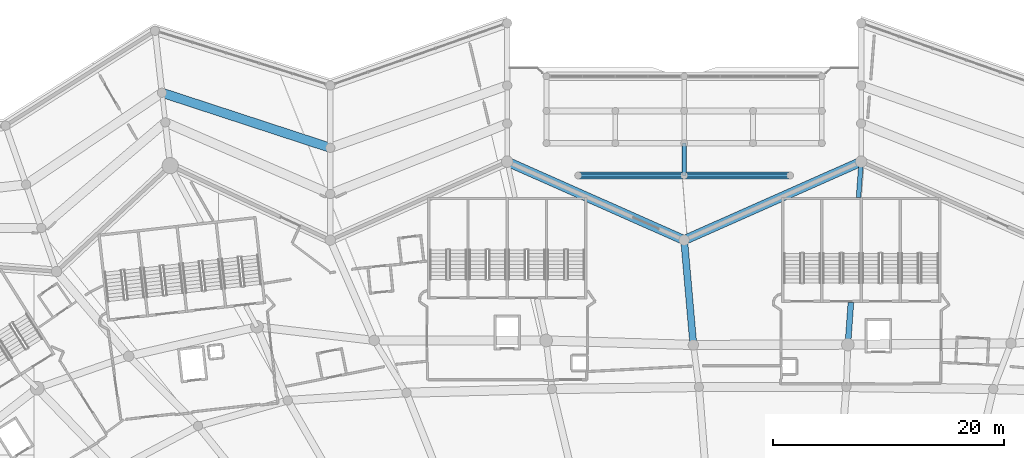
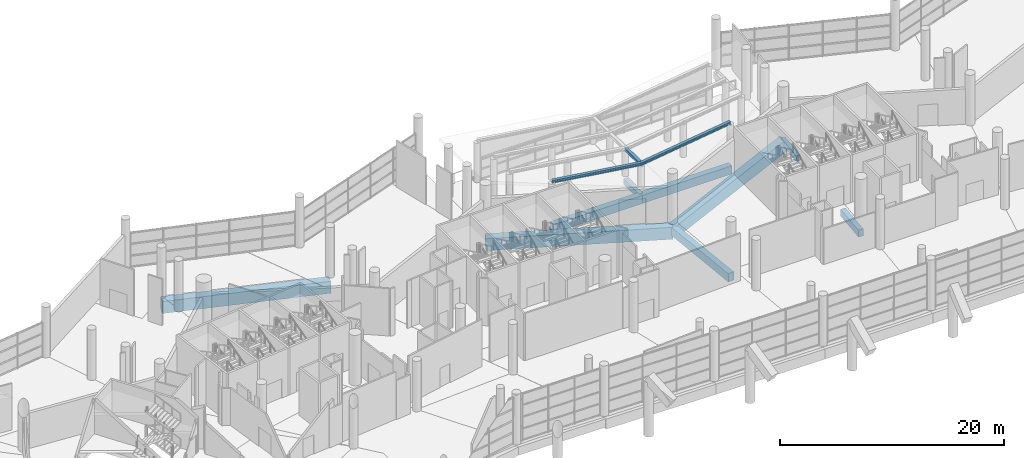
# One storey, part 87 of 271: 12 beams.
"""IFC4 building model written with IfcOpenShell, lengths in metres."""

from ifc_helpers import new_model, si_unit, direction, frame, origin, origin_2d, place, context, subcontext, project, spatial, rectangle, i_section, extrude, material, material_profile, profile_set, type_object, element, save


model = new_model("IFC4")

# Units and contexts
model_context = context("Model", 3, precision=1e-05, world=origin(), true_north=direction((0.0, 1.0)))
body_context = subcontext(model_context, "Body", "Model", "MODEL_VIEW")
ifc_project = project(units=[si_unit("LENGTHUNIT", "METRE"), si_unit("AREAUNIT", "SQUARE_METRE"), si_unit("VOLUMEUNIT", "CUBIC_METRE"), si_unit("PLANEANGLEUNIT", "RADIAN"), si_unit("MASSUNIT", "GRAM", prefix="KILO")], contexts=[model_context])

# Site, building, storey
site_placement = place(None, origin())
site = spatial("IfcSite", under=ifc_project, at=site_placement, CompositionType="ELEMENT")
building_placement = place(site_placement, origin())
building = spatial("IfcBuilding", under=site, at=building_placement, Name="Meseta Stadium", CompositionType="ELEMENT")
storey_placement = place(building_placement, frame((0.0, 0.0, 6.5)))
storey = spatial("IfcBuildingStorey", under=building, at=storey_placement, Name="L01", CompositionType="ELEMENT", Elevation=6.5)

# Beams
ifc_material_1 = material(Name="Steel S355", Category="steel")
ifc_material_profile_1 = material_profile(ifc_material_1, i_section(OverallWidth=0.300048828125, OverallDepth=0.300048828125, WebThickness=0.010986328125, FlangeThickness=0.01904296875, FilletRadius=0.027099609375, at=origin_2d()), Name="HEB 300")
ifc_profile_set_1 = profile_set([ifc_material_profile_1], Name="Steel S355")
beam_type_1 = type_object("IfcBeamType", Name="Gate roof beam HEB 300", PredefinedType="BEAM", material=ifc_profile_set_1)
beam_1_placement = place(storey_placement, frame((-7.666748046875, 104.199951171875, 2.931396484375), z_axis=(0.0, 0.999798977995, -0.02005002746), x_axis=(-1.0, 0.0, 0.0)))
element("IfcBeam", 1, at=beam_1_placement, inside=storey, type_object=beam_type_1, Name="Gate 3 valley beam", PredefinedType="BEAM", context=body_context, shape_type="SweptSolid", body=[
    extrude(i_section(OverallWidth=0.300048828125, OverallDepth=0.300048828125, WebThickness=0.010986328125, FlangeThickness=0.01904296875, FilletRadius=0.027099609375, at=origin_2d()), origin(), (0.0, 0.0, 1.0), 2.800537109375),
])
ifc_material_2 = material(Name="Steel S355", Category="steel")
ifc_material_profile_2 = material_profile(ifc_material_2, i_section(OverallWidth=0.300048828125, OverallDepth=0.300048828125, WebThickness=0.010986328125, FlangeThickness=0.01904296875, FilletRadius=0.027099609375, at=origin_2d()), Name="HEB 300")
ifc_profile_set_2 = profile_set([ifc_material_profile_2], Name="Steel S355")
beam_type_2 = type_object("IfcBeamType", Name="Gate roof beam HEB 300 rafter", PredefinedType="BEAM", material=ifc_profile_set_2)
beam_2_placement = place(storey_placement, frame((1.516845703125, 104.199951171875, 4.217041015625), z_axis=(-0.99034261426, 0.0, -0.138641647349), x_axis=(0.0, -1.0, 0.0)))
element("IfcBeam", 2, at=beam_2_placement, inside=storey, type_object=beam_type_2, Name="Gate 3 roof rafter", PredefinedType="BEAM", context=body_context, shape_type="SweptSolid", body=[
    extrude(i_section(OverallWidth=0.300048828125, OverallDepth=0.300048828125, WebThickness=0.010986328125, FlangeThickness=0.01904296875, FilletRadius=0.027099609375, at=origin_2d()), origin(), (0.0, 0.0, 1.0), 9.273193359375),
])
beam_3_placement = place(storey_placement, frame((-7.666748046875, 104.199951171875, 2.931396484375), z_axis=(-0.990342108183, 0.0, 0.138645262307), x_axis=(0.0, -1.0, 0.0)))
element("IfcBeam", 3, at=beam_3_placement, inside=storey, type_object=beam_type_2, Name="Gate 3 roof rafter", PredefinedType="BEAM", context=body_context, shape_type="SweptSolid", body=[
    extrude(i_section(OverallWidth=0.300048828125, OverallDepth=0.300048828125, WebThickness=0.010986328125, FlangeThickness=0.01904296875, FilletRadius=0.027099609375, at=origin_2d()), origin(), (0.0, 0.0, 1.0), 9.27294921875),
])
ifc_material_3 = material(Name="Concrete C40/50", Category="concrete")
ifc_material_profile_3 = material_profile(ifc_material_3, rectangle(XDim=0.39990234375, YDim=0.60009765625, at=origin_2d()), Name="RC 400x600")
ifc_profile_set_3 = profile_set([ifc_material_profile_3], Name="Concrete C40/50")
beam_type_3 = type_object("IfcBeamType", Name="RC beam 400x600", PredefinedType="BEAM", material=ifc_profile_set_3)
beam_4_placement = place(storey_placement, frame((7.44189453125, 102.300048828125, -0.64990234375), z_axis=(0.072346739974, 0.997379541205, 0.0), x_axis=(-0.997379541205, 0.072346739974, 0.0)))
element("IfcBeam", 4, at=beam_4_placement, inside=storey, type_object=beam_type_3, Name="L01 radial beam frame 18 line P to R", PredefinedType="BEAM", context=body_context, shape_type="SweptSolid", body=[
    extrude(rectangle(XDim=0.39990234375, YDim=0.60009765625, at=origin_2d()), origin(), (0.0, 0.0, 1.0), 3.10791015625),
])
beam_5_placement = place(storey_placement, frame((-7.666748046875, 104.199951171875, -0.64990234375), z_axis=(0.0, 1.0, 0.0), x_axis=(-1.0, 0.0, 0.0)))
element("IfcBeam", 5, at=beam_5_placement, inside=storey, type_object=beam_type_3, Name="Gate 3 floor beam", PredefinedType="BEAM", context=body_context, shape_type="SweptSolid", body=[
    extrude(rectangle(XDim=0.39990234375, YDim=0.60009765625, at=origin_2d()), origin(), (0.0, 0.0, 1.0), 2.800048828125),
])
ifc_material_4 = material(Name="Concrete C40/50", Category="concrete")
ifc_material_profile_4 = material_profile(ifc_material_4, rectangle(XDim=0.5, YDim=0.75, at=origin_2d()), Name="RC 500x750")
ifc_profile_set_4 = profile_set([ifc_material_profile_4], Name="Concrete C40/50")
beam_type_4 = type_object("IfcBeamType", Name="RC beam 500x750", PredefinedType="BEAM", material=ifc_profile_set_4)
beam_6_placement = place(storey_placement, frame((6.51708984375, 89.54638671875, -0.72509765625), z_axis=(0.072312695021, 0.997382010134, 0.0), x_axis=(-0.997382010134, 0.072312695021, 0.0)))
element("IfcBeam", 6, at=beam_6_placement, inside=storey, type_object=beam_type_4, Name="L01 radial beam frame 18 line P to R", PredefinedType="BEAM", context=body_context, shape_type="SweptSolid", body=[
    extrude(rectangle(XDim=0.5, YDim=0.75, at=origin_2d()), origin(), (0.0, 0.0, 1.0), 3.6630859375),
])
ifc_material_5 = material(Name="Concrete C40/50", Category="concrete")
ifc_material_profile_5 = material_profile(ifc_material_5, rectangle(XDim=0.60009765625, YDim=0.89990234375, at=origin_2d()), Name="RC 600x900")
ifc_profile_set_5 = profile_set([ifc_material_profile_5], Name="Concrete C40/50")
beam_type_5 = type_object("IfcBeamType", Name="RC beam 600x900", PredefinedType="BEAM", material=ifc_profile_set_5)
beam_7_placement = place(storey_placement, frame((-6.87060546875, 89.517822265625, -0.800048828125), z_axis=(-0.087324072983, 0.996179956774, 0.0), x_axis=(-0.996179956774, -0.087324072983, 0.0)))
element("IfcBeam", 7, at=beam_7_placement, inside=storey, type_object=beam_type_5, Name="L01 radial beam frame 19 line P to R", PredefinedType="BEAM", context=body_context, shape_type="SweptSolid", body=[
    extrude(rectangle(XDim=0.60009765625, YDim=0.89990234375, at=origin_2d()), origin(), (0.0, 0.0, 1.0), 9.1171875),
])
beam_8_placement = place(storey_placement, frame((1.516845703125, 104.199951171875, -0.800048828125), z_axis=(-1.0, 0.0, 0.0), x_axis=(0.0, -1.0, 0.0)))
element("IfcBeam", 8, at=beam_8_placement, inside=storey, type_object=beam_type_5, Name="Gate 3 floor beam", PredefinedType="BEAM", context=body_context, shape_type="SweptSolid", body=[
    extrude(rectangle(XDim=0.60009765625, YDim=0.89990234375, at=origin_2d()), origin(), (0.0, 0.0, 1.0), 9.18359375),
])
beam_9_placement = place(storey_placement, frame((-7.666748046875, 104.199951171875, -0.800048828125), z_axis=(-1.0, 0.0, 0.0), x_axis=(0.0, -1.0, 0.0)))
element("IfcBeam", 9, at=beam_9_placement, inside=storey, type_object=beam_type_5, Name="Gate 3 floor beam", PredefinedType="BEAM", context=body_context, shape_type="SweptSolid", body=[
    extrude(rectangle(XDim=0.60009765625, YDim=0.89990234375, at=origin_2d()), origin(), (0.0, 0.0, 1.0), 9.183349609375),
])
ifc_material_6 = material(Name="Concrete C40/50", Category="concrete")
ifc_material_profile_6 = material_profile(ifc_material_6, rectangle(XDim=0.800048828125, YDim=1.300048828125, at=origin_2d()), Name="RC 800x1300")
ifc_profile_set_6 = profile_set([ifc_material_profile_6], Name="Concrete C40/50")
beam_type_6 = type_object("IfcBeamType", Name="RC beam 800x1300", PredefinedType="BEAM", material=ifc_profile_set_6)
beam_10_placement = place(storey_placement, frame((7.666748046875, 105.39990234375, -1.0), z_axis=(-0.914144956099, -0.405387468033, 0.0), x_axis=(0.405387468033, -0.914144956099, 0.0)))
element("IfcBeam", 10, at=beam_10_placement, inside=storey, type_object=beam_type_6, Name="L01 ring beam frame 18 line R", PredefinedType="BEAM", context=body_context, shape_type="SweptSolid", body=[
    extrude(rectangle(XDim=0.800048828125, YDim=1.300048828125, at=origin_2d()), origin(), (0.0, 0.0, 1.0), 16.773681640625),
])
beam_11_placement = place(storey_placement, frame((-7.666748046875, 98.60009765625, -1.0), z_axis=(-0.914142564088, 0.405392861953, 0.0), x_axis=(-0.405392861953, -0.914142564088, 0.0)))
element("IfcBeam", 11, at=beam_11_placement, inside=storey, type_object=beam_type_6, Name="L01 ring beam frame 19 line R", PredefinedType="BEAM", context=body_context, shape_type="SweptSolid", body=[
    extrude(rectangle(XDim=0.800048828125, YDim=1.300048828125, at=origin_2d()), origin(), (0.0, 0.0, 1.0), 16.7734375),
])
beam_12_placement = place(storey_placement, frame((-38.333251953125, 106.60009765625, -1.0), z_axis=(-0.950397214569, 0.311038799089, 0.0), x_axis=(-0.311038799089, -0.950397214569, 0.0)))
element("IfcBeam", 12, at=beam_12_placement, inside=storey, type_object=beam_type_6, Name="L01 ring beam frame 21 line Q", PredefinedType="BEAM", context=body_context, shape_type="SweptSolid", body=[
    extrude(rectangle(XDim=0.800048828125, YDim=1.300048828125, at=origin_2d()), origin(), (0.0, 0.0, 1.0), 15.3427734375),
])

save(model, "model.ifc")
